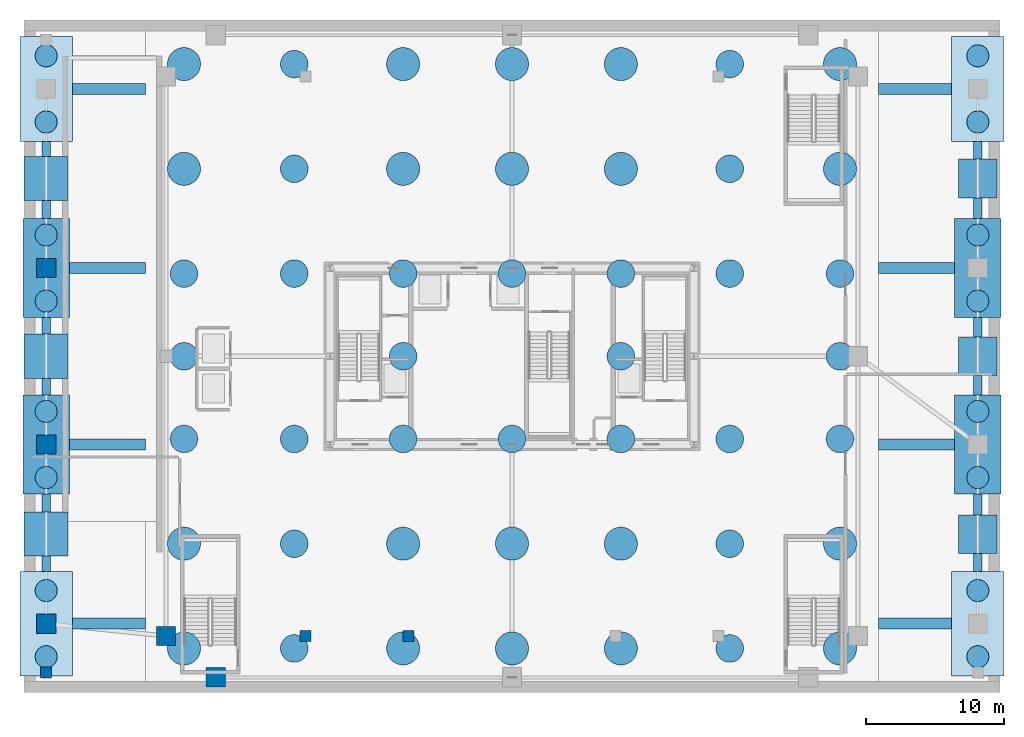
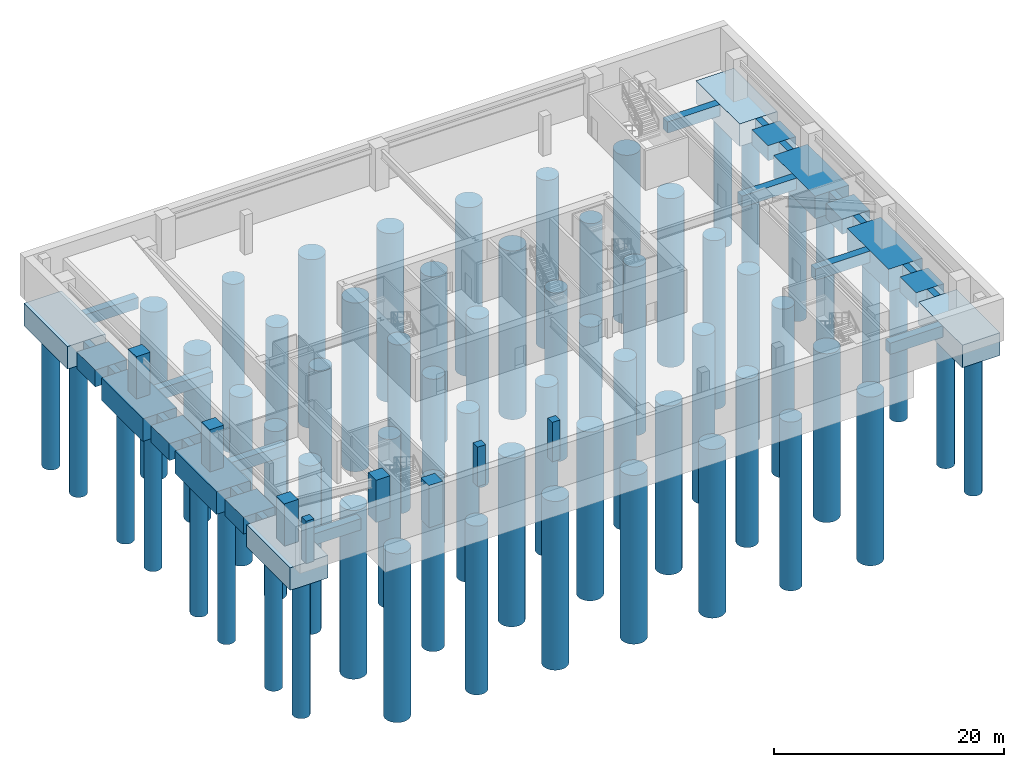
# One storey, part 1 of 10: 62 piles, 34 footings, 8 columns.
"""IFC4 building model written with IfcOpenShell, lengths in metres."""

from ifc_helpers import new_model, si_unit, direction, frame, origin, origin_2d, place, context, subcontext, project, spatial, polyline, rectangle, circle, outline, extrude, source, transform, mapped, material, material_profile, profile_set, type_object, element, save


model = new_model("IFC4")

# Units and contexts
model_context = context("Model", 3, precision=1e-05, world=origin(), true_north=direction((0.0, 1.0)))
body_context = subcontext(model_context, "Body", "Model", "MODEL_VIEW")
ifc_project = project(units=[si_unit("LENGTHUNIT", "METRE"), si_unit("AREAUNIT", "SQUARE_METRE"), si_unit("VOLUMEUNIT", "CUBIC_METRE"), si_unit("PLANEANGLEUNIT", "RADIAN"), si_unit("MASSUNIT", "GRAM", prefix="KILO"), si_unit("THERMODYNAMICTEMPERATUREUNIT", "KELVIN"), si_unit("POWERUNIT", "WATT")], contexts=[model_context])

# Site, building, storey
site_placement = place(None, origin())
site = spatial("IfcSite", under=ifc_project, at=site_placement, CompositionType="ELEMENT")
building_placement = place(site_placement, origin())
building = spatial("IfcBuilding", under=site, at=building_placement, Name="Yuzanri Waterfront Tower", CompositionType="ELEMENT")
storey_placement = place(building_placement, frame((0.0, 0.0, -9.0)))
storey = spatial("IfcBuildingStorey", under=building, at=storey_placement, Name="B02", CompositionType="ELEMENT", Elevation=-9.0)

# Footings
ifc_material_1 = material(Name="Concrete C50", Category="concrete")
footing_type_1 = type_object("IfcFootingType", Name="Concrete C50 Foundation Tie Beam 800x1200", PredefinedType="FOOTING_BEAM", material=ifc_material_1)
footing_1_placement = place(storey_placement, frame((0.0, 0.0, -1.199951171875)))
element("IfcFooting", 1, at=footing_1_placement, inside=storey, type_object=footing_type_1, Name="Foundation Tie Beam 01", PredefinedType="FOOTING_BEAM", context=body_context, shape_type="SweptSolid", body=[
    extrude(outline(polyline([(5.10009765625, 6.0), (10.39990234375, 6.0), (10.39990234375, 6.800048828125), (5.10009765625, 6.800048828125), (5.10009765625, 6.0)])), origin(), (0.0, 0.0, 1.0), 1.199951171875),
])
footing_2_placement = place(storey_placement, frame((0.0, 0.0, -1.199951171875)))
element("IfcFooting", 2, at=footing_2_placement, inside=storey, type_object=footing_type_1, Name="Foundation Tie Beam 02", PredefinedType="FOOTING_BEAM", context=body_context, shape_type="SweptSolid", body=[
    extrude(outline(polyline([(63.60009765625, 6.0), (68.89990234375, 6.0), (68.89990234375, 6.800048828125), (63.60009765625, 6.800048828125), (63.60009765625, 6.0)])), origin(), (0.0, 0.0, 1.0), 1.199951171875),
])
footing_3_placement = place(storey_placement, frame((0.0, 0.0, -1.199951171875)))
element("IfcFooting", 3, at=footing_3_placement, inside=storey, type_object=footing_type_1, Name="Foundation Tie Beam 03", PredefinedType="FOOTING_BEAM", context=body_context, shape_type="SweptSolid", body=[
    extrude(outline(polyline([(4.89990234375, 19.0), (10.39990234375, 19.0), (10.39990234375, 19.800048828125), (4.89990234375, 19.800048828125), (4.89990234375, 19.0)])), origin(), (0.0, 0.0, 1.0), 1.199951171875),
])
footing_4_placement = place(storey_placement, frame((0.0, 0.0, -1.199951171875)))
element("IfcFooting", 4, at=footing_4_placement, inside=storey, type_object=footing_type_1, Name="Foundation Tie Beam 04", PredefinedType="FOOTING_BEAM", context=body_context, shape_type="SweptSolid", body=[
    extrude(outline(polyline([(63.60009765625, 19.0), (69.10009765625, 19.0), (69.10009765625, 19.800048828125), (63.60009765625, 19.800048828125), (63.60009765625, 19.0)])), origin(), (0.0, 0.0, 1.0), 1.199951171875),
])
footing_5_placement = place(storey_placement, frame((0.0, 0.0, -1.199951171875)))
element("IfcFooting", 5, at=footing_5_placement, inside=storey, type_object=footing_type_1, Name="Foundation Tie Beam 05", PredefinedType="FOOTING_BEAM", context=body_context, shape_type="SweptSolid", body=[
    extrude(outline(polyline([(4.89990234375, 31.800048828125), (10.39990234375, 31.800048828125), (10.39990234375, 32.60009765625), (4.89990234375, 32.60009765625), (4.89990234375, 31.800048828125)])), origin(), (0.0, 0.0, 1.0), 1.199951171875),
])
footing_6_placement = place(storey_placement, frame((0.0, 0.0, -1.199951171875)))
element("IfcFooting", 6, at=footing_6_placement, inside=storey, type_object=footing_type_1, Name="Foundation Tie Beam 06", PredefinedType="FOOTING_BEAM", context=body_context, shape_type="SweptSolid", body=[
    extrude(outline(polyline([(63.60009765625, 31.800048828125), (69.10009765625, 31.800048828125), (69.10009765625, 32.60009765625), (63.60009765625, 32.60009765625), (63.60009765625, 31.800048828125)])), origin(), (0.0, 0.0, 1.0), 1.199951171875),
])
footing_7_placement = place(storey_placement, frame((0.0, 0.0, -1.199951171875)))
element("IfcFooting", 7, at=footing_7_placement, inside=storey, type_object=footing_type_1, Name="Foundation Tie Beam 07", PredefinedType="FOOTING_BEAM", context=body_context, shape_type="SweptSolid", body=[
    extrude(outline(polyline([(5.10009765625, 44.800048828125), (10.39990234375, 44.800048828125), (10.39990234375, 45.60009765625), (5.10009765625, 45.60009765625), (5.10009765625, 44.800048828125)])), origin(), (0.0, 0.0, 1.0), 1.199951171875),
])
footing_8_placement = place(storey_placement, frame((0.0, 0.0, -1.199951171875)))
element("IfcFooting", 8, at=footing_8_placement, inside=storey, type_object=footing_type_1, Name="Foundation Tie Beam 08", PredefinedType="FOOTING_BEAM", context=body_context, shape_type="SweptSolid", body=[
    extrude(outline(polyline([(63.60009765625, 44.800048828125), (68.89990234375, 44.800048828125), (68.89990234375, 45.60009765625), (63.60009765625, 45.60009765625), (63.60009765625, 44.800048828125)])), origin(), (0.0, 0.0, 1.0), 1.199951171875),
])
ifc_material_2 = material(Name="Concrete C50", Category="concrete")
footing_type_2 = type_object("IfcFootingType", Name="Concrete C50 Perimeter Ground Beam 600x1000", PredefinedType="FOOTING_BEAM", material=ifc_material_2)
footing_9_placement = place(storey_placement, frame((0.0, 0.0, -1.0)))
element("IfcFooting", 9, at=footing_9_placement, inside=storey, type_object=footing_type_2, Name="Perimeter Ground Beam 09", PredefinedType="FOOTING_BEAM", context=body_context, shape_type="SweptSolid", body=[
    extrude(outline(polyline([(2.89990234375, 10.199951171875), (3.5, 10.199951171875), (3.5, 11.300048828125), (2.89990234375, 11.300048828125), (2.89990234375, 10.199951171875)])), origin(), (0.0, 0.0, 1.0), 1.0),
])
footing_10_placement = place(storey_placement, frame((0.0, 0.0, -1.0)))
element("IfcFooting", 10, at=footing_10_placement, inside=storey, type_object=footing_type_2, Name="Perimeter Ground Beam 10", PredefinedType="FOOTING_BEAM", context=body_context, shape_type="SweptSolid", body=[
    extrude(outline(polyline([(2.89990234375, 14.5), (3.5, 14.5), (3.5, 15.800048828125), (2.89990234375, 15.800048828125), (2.89990234375, 14.5)])), origin(), (0.0, 0.0, 1.0), 1.0),
])
footing_11_placement = place(storey_placement, frame((0.0, 0.0, -1.0)))
element("IfcFooting", 11, at=footing_11_placement, inside=storey, type_object=footing_type_2, Name="Perimeter Ground Beam 11", PredefinedType="FOOTING_BEAM", context=body_context, shape_type="SweptSolid", body=[
    extrude(outline(polyline([(2.89990234375, 23.0), (3.5, 23.0), (3.5, 24.199951171875), (2.89990234375, 24.199951171875), (2.89990234375, 23.0)])), origin(), (0.0, 0.0, 1.0), 1.0),
])
footing_12_placement = place(storey_placement, frame((0.0, 0.0, -1.0)))
element("IfcFooting", 12, at=footing_12_placement, inside=storey, type_object=footing_type_2, Name="Perimeter Ground Beam 12", PredefinedType="FOOTING_BEAM", context=body_context, shape_type="SweptSolid", body=[
    extrude(outline(polyline([(2.89990234375, 27.39990234375), (3.5, 27.39990234375), (3.5, 28.60009765625), (2.89990234375, 28.60009765625), (2.89990234375, 27.39990234375)])), origin(), (0.0, 0.0, 1.0), 1.0),
])
footing_13_placement = place(storey_placement, frame((0.0, 0.0, -1.0)))
element("IfcFooting", 13, at=footing_13_placement, inside=storey, type_object=footing_type_2, Name="Perimeter Ground Beam 13", PredefinedType="FOOTING_BEAM", context=body_context, shape_type="SweptSolid", body=[
    extrude(outline(polyline([(2.89990234375, 35.800048828125), (3.5, 35.800048828125), (3.5, 37.10009765625), (2.89990234375, 37.10009765625), (2.89990234375, 35.800048828125)])), origin(), (0.0, 0.0, 1.0), 1.0),
])
footing_14_placement = place(storey_placement, frame((0.0, 0.0, -1.0)))
element("IfcFooting", 14, at=footing_14_placement, inside=storey, type_object=footing_type_2, Name="Perimeter Ground Beam 14", PredefinedType="FOOTING_BEAM", context=body_context, shape_type="SweptSolid", body=[
    extrude(outline(polyline([(2.89990234375, 40.300048828125), (3.5, 40.300048828125), (3.5, 41.39990234375), (2.89990234375, 41.39990234375), (2.89990234375, 40.300048828125)])), origin(), (0.0, 0.0, 1.0), 1.0),
])
footing_15_placement = place(storey_placement, frame((0.0, 0.0, -1.0)))
element("IfcFooting", 15, at=footing_15_placement, inside=storey, type_object=footing_type_2, Name="Perimeter Ground Beam 15", PredefinedType="FOOTING_BEAM", context=body_context, shape_type="SweptSolid", body=[
    extrude(outline(polyline([(70.5, 10.199951171875), (71.10009765625, 10.199951171875), (71.10009765625, 11.5), (70.5, 11.5), (70.5, 10.199951171875)])), origin(), (0.0, 0.0, 1.0), 1.0),
])
footing_16_placement = place(storey_placement, frame((0.0, 0.0, -1.0)))
element("IfcFooting", 16, at=footing_16_placement, inside=storey, type_object=footing_type_2, Name="Perimeter Ground Beam 16", PredefinedType="FOOTING_BEAM", context=body_context, shape_type="SweptSolid", body=[
    extrude(outline(polyline([(70.5, 14.300048828125), (71.10009765625, 14.300048828125), (71.10009765625, 15.800048828125), (70.5, 15.800048828125), (70.5, 14.300048828125)])), origin(), (0.0, 0.0, 1.0), 1.0),
])
footing_17_placement = place(storey_placement, frame((0.0, 0.0, -1.0)))
element("IfcFooting", 17, at=footing_17_placement, inside=storey, type_object=footing_type_2, Name="Perimeter Ground Beam 17", PredefinedType="FOOTING_BEAM", context=body_context, shape_type="SweptSolid", body=[
    extrude(outline(polyline([(70.5, 23.0), (71.10009765625, 23.0), (71.10009765625, 24.39990234375), (70.5, 24.39990234375), (70.5, 23.0)])), origin(), (0.0, 0.0, 1.0), 1.0),
])
footing_18_placement = place(storey_placement, frame((0.0, 0.0, -1.0)))
element("IfcFooting", 18, at=footing_18_placement, inside=storey, type_object=footing_type_2, Name="Perimeter Ground Beam 18", PredefinedType="FOOTING_BEAM", context=body_context, shape_type="SweptSolid", body=[
    extrude(outline(polyline([(70.5, 27.199951171875), (71.10009765625, 27.199951171875), (71.10009765625, 28.60009765625), (70.5, 28.60009765625), (70.5, 27.199951171875)])), origin(), (0.0, 0.0, 1.0), 1.0),
])
footing_19_placement = place(storey_placement, frame((0.0, 0.0, -1.0)))
element("IfcFooting", 19, at=footing_19_placement, inside=storey, type_object=footing_type_2, Name="Perimeter Ground Beam 19", PredefinedType="FOOTING_BEAM", context=body_context, shape_type="SweptSolid", body=[
    extrude(outline(polyline([(70.5, 35.800048828125), (71.10009765625, 35.800048828125), (71.10009765625, 37.300048828125), (70.5, 37.300048828125), (70.5, 35.800048828125)])), origin(), (0.0, 0.0, 1.0), 1.0),
])
footing_20_placement = place(storey_placement, frame((0.0, 0.0, -1.0)))
element("IfcFooting", 20, at=footing_20_placement, inside=storey, type_object=footing_type_2, Name="Perimeter Ground Beam 20", PredefinedType="FOOTING_BEAM", context=body_context, shape_type="SweptSolid", body=[
    extrude(outline(polyline([(70.5, 40.10009765625), (71.10009765625, 40.10009765625), (71.10009765625, 41.39990234375), (70.5, 41.39990234375), (70.5, 40.10009765625)])), origin(), (0.0, 0.0, 1.0), 1.0),
])
ifc_material_3 = material(Name="Concrete C50", Category="concrete")
footing_type_3 = type_object("IfcFootingType", Name="Concrete C50 Podium Corner Two-Pile Cap 3800x7600x2400", PredefinedType="PILE_CAP", material=ifc_material_3)
footing_21_placement = place(storey_placement, frame((0.0, 0.0, -2.39990234375)))
element("IfcFooting", 21, at=footing_21_placement, inside=storey, type_object=footing_type_3, Name="Podium Two-Pile Cap W01", PredefinedType="PILE_CAP", context=body_context, shape_type="SweptSolid", body=[
    extrude(outline(polyline([(1.300048828125, 2.60009765625), (5.10009765625, 2.60009765625), (5.10009765625, 10.199951171875), (1.300048828125, 10.199951171875), (1.300048828125, 2.60009765625)])), origin(), (0.0, 0.0, 1.0), 2.39990234375),
])
footing_22_placement = place(storey_placement, frame((0.0, 0.0, -2.39990234375)))
element("IfcFooting", 22, at=footing_22_placement, inside=storey, type_object=footing_type_3, Name="Podium Two-Pile Cap W04", PredefinedType="PILE_CAP", context=body_context, shape_type="SweptSolid", body=[
    extrude(outline(polyline([(1.300048828125, 41.39990234375), (5.10009765625, 41.39990234375), (5.10009765625, 49.0), (1.300048828125, 49.0), (1.300048828125, 41.39990234375)])), origin(), (0.0, 0.0, 1.0), 2.39990234375),
])
footing_23_placement = place(storey_placement, frame((0.0, 0.0, -2.39990234375)))
element("IfcFooting", 23, at=footing_23_placement, inside=storey, type_object=footing_type_3, Name="Podium Two-Pile Cap E05", PredefinedType="PILE_CAP", context=body_context, shape_type="SweptSolid", body=[
    extrude(outline(polyline([(68.89990234375, 2.60009765625), (72.699951171875, 2.60009765625), (72.699951171875, 10.199951171875), (68.89990234375, 10.199951171875), (68.89990234375, 2.60009765625)])), origin(), (0.0, 0.0, 1.0), 2.39990234375),
])
footing_24_placement = place(storey_placement, frame((0.0, 0.0, -2.39990234375)))
element("IfcFooting", 24, at=footing_24_placement, inside=storey, type_object=footing_type_3, Name="Podium Two-Pile Cap E08", PredefinedType="PILE_CAP", context=body_context, shape_type="SweptSolid", body=[
    extrude(outline(polyline([(68.89990234375, 41.39990234375), (72.699951171875, 41.39990234375), (72.699951171875, 49.0), (68.89990234375, 49.0), (68.89990234375, 41.39990234375)])), origin(), (0.0, 0.0, 1.0), 2.39990234375),
])
ifc_material_4 = material(Name="Concrete C50", Category="concrete")
footing_type_4 = type_object("IfcFootingType", Name="Concrete C50 Podium Two-Pile Cap 3400x7200x2400", PredefinedType="PILE_CAP", material=ifc_material_4)
footing_25_placement = place(storey_placement, frame((0.0, 0.0, -2.39990234375)))
element("IfcFooting", 25, at=footing_25_placement, inside=storey, type_object=footing_type_4, Name="Podium Two-Pile Cap W02", PredefinedType="PILE_CAP", context=body_context, shape_type="SweptSolid", body=[
    extrude(outline(polyline([(1.5, 15.800048828125), (4.89990234375, 15.800048828125), (4.89990234375, 23.0), (1.5, 23.0), (1.5, 15.800048828125)])), origin(), (0.0, 0.0, 1.0), 2.39990234375),
])
footing_26_placement = place(storey_placement, frame((0.0, 0.0, -2.39990234375)))
element("IfcFooting", 26, at=footing_26_placement, inside=storey, type_object=footing_type_4, Name="Podium Two-Pile Cap W03", PredefinedType="PILE_CAP", context=body_context, shape_type="SweptSolid", body=[
    extrude(outline(polyline([(1.5, 28.60009765625), (4.89990234375, 28.60009765625), (4.89990234375, 35.800048828125), (1.5, 35.800048828125), (1.5, 28.60009765625)])), origin(), (0.0, 0.0, 1.0), 2.39990234375),
])
footing_27_placement = place(storey_placement, frame((0.0, 0.0, -2.39990234375)))
element("IfcFooting", 27, at=footing_27_placement, inside=storey, type_object=footing_type_4, Name="Podium Two-Pile Cap E06", PredefinedType="PILE_CAP", context=body_context, shape_type="SweptSolid", body=[
    extrude(outline(polyline([(69.10009765625, 15.800048828125), (72.5, 15.800048828125), (72.5, 23.0), (69.10009765625, 23.0), (69.10009765625, 15.800048828125)])), origin(), (0.0, 0.0, 1.0), 2.39990234375),
])
footing_28_placement = place(storey_placement, frame((0.0, 0.0, -2.39990234375)))
element("IfcFooting", 28, at=footing_28_placement, inside=storey, type_object=footing_type_4, Name="Podium Two-Pile Cap E07", PredefinedType="PILE_CAP", context=body_context, shape_type="SweptSolid", body=[
    extrude(outline(polyline([(69.10009765625, 28.60009765625), (72.5, 28.60009765625), (72.5, 35.800048828125), (69.10009765625, 35.800048828125), (69.10009765625, 28.60009765625)])), origin(), (0.0, 0.0, 1.0), 2.39990234375),
])
ifc_material_5 = material(Name="Concrete C50", Category="concrete")
footing_type_5 = type_object("IfcFootingType", Name="Concrete C50 Rock-Bearing Pad Footing 2800x2800x1600", PredefinedType="PAD_FOOTING", material=ifc_material_5)
footing_29_placement = place(storey_placement, frame((0.0, 0.0, -1.60009765625)))
element("IfcFooting", 29, at=footing_29_placement, inside=storey, type_object=footing_type_5, Name="Podium Rock-Bearing Pad Footing E04", PredefinedType="PAD_FOOTING", context=body_context, shape_type="SweptSolid", body=[
    extrude(outline(polyline([(69.39990234375, 11.5), (72.199951171875, 11.5), (72.199951171875, 14.300048828125), (69.39990234375, 14.300048828125), (69.39990234375, 11.5)])), origin(), (0.0, 0.0, 1.0), 1.60009765625),
])
footing_30_placement = place(storey_placement, frame((0.0, 0.0, -1.60009765625)))
element("IfcFooting", 30, at=footing_30_placement, inside=storey, type_object=footing_type_5, Name="Podium Rock-Bearing Pad Footing E05", PredefinedType="PAD_FOOTING", context=body_context, shape_type="SweptSolid", body=[
    extrude(outline(polyline([(69.39990234375, 24.39990234375), (72.199951171875, 24.39990234375), (72.199951171875, 27.199951171875), (69.39990234375, 27.199951171875), (69.39990234375, 24.39990234375)])), origin(), (0.0, 0.0, 1.0), 1.60009765625),
])
footing_31_placement = place(storey_placement, frame((0.0, 0.0, -1.60009765625)))
element("IfcFooting", 31, at=footing_31_placement, inside=storey, type_object=footing_type_5, Name="Podium Rock-Bearing Pad Footing E06", PredefinedType="PAD_FOOTING", context=body_context, shape_type="SweptSolid", body=[
    extrude(outline(polyline([(69.39990234375, 37.300048828125), (72.199951171875, 37.300048828125), (72.199951171875, 40.10009765625), (69.39990234375, 40.10009765625), (69.39990234375, 37.300048828125)])), origin(), (0.0, 0.0, 1.0), 1.60009765625),
])
ifc_material_6 = material(Name="Concrete C50", Category="concrete")
footing_type_6 = type_object("IfcFootingType", Name="Concrete C50 Rock-Bearing Pad Footing 3200x3200x1800", PredefinedType="PAD_FOOTING", material=ifc_material_6)
footing_32_placement = place(storey_placement, frame((0.0, 0.0, -1.800048828125)))
element("IfcFooting", 32, at=footing_32_placement, inside=storey, type_object=footing_type_6, Name="Podium Rock-Bearing Pad Footing W01", PredefinedType="PAD_FOOTING", context=body_context, shape_type="SweptSolid", body=[
    extrude(outline(polyline([(1.60009765625, 11.300048828125), (4.800048828125, 11.300048828125), (4.800048828125, 14.5), (1.60009765625, 14.5), (1.60009765625, 11.300048828125)])), origin(), (0.0, 0.0, 1.0), 1.800048828125),
])
footing_33_placement = place(storey_placement, frame((0.0, 0.0, -1.800048828125)))
element("IfcFooting", 33, at=footing_33_placement, inside=storey, type_object=footing_type_6, Name="Podium Rock-Bearing Pad Footing W02", PredefinedType="PAD_FOOTING", context=body_context, shape_type="SweptSolid", body=[
    extrude(outline(polyline([(1.60009765625, 24.199951171875), (4.800048828125, 24.199951171875), (4.800048828125, 27.39990234375), (1.60009765625, 27.39990234375), (1.60009765625, 24.199951171875)])), origin(), (0.0, 0.0, 1.0), 1.800048828125),
])
footing_34_placement = place(storey_placement, frame((0.0, 0.0, -1.800048828125)))
element("IfcFooting", 34, at=footing_34_placement, inside=storey, type_object=footing_type_6, Name="Podium Rock-Bearing Pad Footing W03", PredefinedType="PAD_FOOTING", context=body_context, shape_type="SweptSolid", body=[
    extrude(outline(polyline([(1.60009765625, 37.10009765625), (4.800048828125, 37.10009765625), (4.800048828125, 40.300048828125), (1.60009765625, 40.300048828125), (1.60009765625, 37.10009765625)])), origin(), (0.0, 0.0, 1.0), 1.800048828125),
])

# Piles
ifc_material_7 = material(Name="Concrete C50", Category="concrete")
ifc_material_profile_1 = material_profile(ifc_material_7, circle(Radius=1.199951171875, at=origin_2d()), Name="PILE D2400")
ifc_profile_set_1 = profile_set([ifc_material_profile_1], Name="Concrete C50")
pile_type_1 = type_object("IfcPileType", Name="Concrete C50 Rock-Socketed Bored Pile 2400", PredefinedType="BORED", material=ifc_profile_set_1)
shared_shape_1 = source(origin(), body_context, "Body", "SweptSolid", [
    extrude(circle(Radius=1.199951171875, at=origin_2d()), origin(), (0.0, 0.0, 1.0), 17.949951171875),
])
for number, where, z_axis, x_axis, name in (
    (35, (13.199951171875, 4.60009765625, -3.050048828125), (0.0, 0.0, -1.0), (1.0, 0.0, 0.0), "Tower Raft Bored Pile 001"),
    (36, (13.199951171875, 12.199951171875, -3.050048828125), (0.0, 0.0, -1.0), (1.0, 0.0, 0.0), "Tower Raft Bored Pile 002"),
    (37, (13.199951171875, 39.39990234375, -3.050048828125), (0.0, 0.0, -1.0), (1.0, 0.0, 0.0), "Tower Raft Bored Pile 006"),
    (38, (13.199951171875, 47.0, -3.050048828125), (0.0, 0.0, -1.0), (1.0, 0.0, 0.0), "Tower Raft Bored Pile 007"),
    (39, (29.10009765625, 4.60009765625, -3.050048828125), (0.0, 0.0, -1.0), (1.0, 0.0, 0.0), "Tower Raft Bored Pile 014"),
    (40, (29.10009765625, 12.199951171875, -3.050048828125), (0.0, 0.0, -1.0), (1.0, 0.0, 0.0), "Tower Raft Bored Pile 015"),
    (41, (29.10009765625, 39.39990234375, -3.050048828125), (0.0, 0.0, -1.0), (1.0, 0.0, 0.0), "Tower Raft Bored Pile 019"),
    (42, (29.10009765625, 47.0, -3.050048828125), (0.0, 0.0, -1.0), (1.0, 0.0, 0.0), "Tower Raft Bored Pile 020"),
    (43, (37.0, 4.60009765625, -3.050048828125), (0.0, 0.0, -1.0), (1.0, 0.0, 0.0), "Tower Raft Bored Pile 021"),
    (44, (37.0, 12.199951171875, -3.050048828125), (0.0, 0.0, -1.0), (1.0, 0.0, 0.0), "Tower Raft Bored Pile 022"),
    (45, (37.0, 39.39990234375, -3.050048828125), (0.0, 0.0, -1.0), (1.0, 0.0, 0.0), "Tower Raft Bored Pile 025"),
    (46, (37.0, 47.0, -3.050048828125), (0.0, 0.0, -1.0), (1.0, 0.0, 0.0), "Tower Raft Bored Pile 026"),
    (47, (44.89990234375, 4.60009765625, -3.050048828125), (0.0, 0.0, -1.0), (1.0, 0.0, 0.0), "Tower Raft Bored Pile 027"),
    (48, (44.89990234375, 12.199951171875, -3.050048828125), (0.0, 0.0, -1.0), (1.0, 0.0, 0.0), "Tower Raft Bored Pile 028"),
    (49, (44.89990234375, 39.39990234375, -3.050048828125), (0.0, 0.0, -1.0), (1.0, 0.0, 0.0), "Tower Raft Bored Pile 032"),
    (50, (44.89990234375, 47.0, -3.050048828125), (0.0, 0.0, -1.0), (1.0, 0.0, 0.0), "Tower Raft Bored Pile 033"),
    (51, (60.800048828125, 4.60009765625, -3.050048828125), (0.0, 0.0, -1.0), (1.0, 0.0, 0.0), "Tower Raft Bored Pile 040"),
    (52, (60.800048828125, 12.199951171875, -3.050048828125), (0.0, 0.0, -1.0), (1.0, 0.0, 0.0), "Tower Raft Bored Pile 041"),
    (53, (60.800048828125, 39.39990234375, -3.050048828125), (0.0, 0.0, -1.0), (1.0, 0.0, 0.0), "Tower Raft Bored Pile 045"),
    (54, (60.800048828125, 47.0, -3.050048828125), (0.0, 0.0, -1.0), (1.0, 0.0, 0.0), "Tower Raft Bored Pile 046"),
):
    element("IfcPile", number, at=place(storey_placement, frame(where, z_axis=z_axis, x_axis=x_axis)), inside=storey, type_object=pile_type_1, Name=name, PredefinedType="BORED", context=body_context, shape_type="MappedRepresentation", body=[
        mapped(shared_shape_1, transform((0.0, 0.0, 0.0), scale=1.0)),
    ])
ifc_material_8 = material(Name="Concrete C50", Category="concrete")
ifc_material_profile_2 = material_profile(ifc_material_8, circle(Radius=1.0, at=origin_2d()), Name="PILE D2000")
ifc_profile_set_2 = profile_set([ifc_material_profile_2], Name="Concrete C50")
pile_type_2 = type_object("IfcPileType", Name="Concrete C50 Rock-Socketed Bored Pile 2000", PredefinedType="BORED", material=ifc_profile_set_2)
shared_shape_2 = source(origin(), body_context, "Body", "SweptSolid", [
    extrude(circle(Radius=1.0, at=origin_2d()), origin(), (0.0, 0.0, 1.0), 17.949951171875),
])
for number, where, z_axis, x_axis, name in (
    (55, (13.199951171875, 19.800048828125, -3.050048828125), (0.0, 0.0, -1.0), (1.0, 0.0, 0.0), "Tower Raft Bored Pile 003"),
    (56, (13.199951171875, 25.800048828125, -3.050048828125), (0.0, 0.0, -1.0), (1.0, 0.0, 0.0), "Tower Raft Bored Pile 004"),
    (57, (13.199951171875, 31.800048828125, -3.050048828125), (0.0, 0.0, -1.0), (1.0, 0.0, 0.0), "Tower Raft Bored Pile 005"),
    (58, (21.199951171875, 4.60009765625, -3.050048828125), (0.0, 0.0, -1.0), (1.0, 0.0, 0.0), "Tower Raft Bored Pile 008"),
    (59, (21.199951171875, 12.199951171875, -3.050048828125), (0.0, 0.0, -1.0), (1.0, 0.0, 0.0), "Tower Raft Bored Pile 009"),
    (60, (21.199951171875, 19.800048828125, -3.050048828125), (0.0, 0.0, -1.0), (1.0, 0.0, 0.0), "Tower Raft Bored Pile 010"),
    (61, (21.199951171875, 31.800048828125, -3.050048828125), (0.0, 0.0, -1.0), (1.0, 0.0, 0.0), "Tower Raft Bored Pile 011"),
    (62, (21.199951171875, 39.39990234375, -3.050048828125), (0.0, 0.0, -1.0), (1.0, 0.0, 0.0), "Tower Raft Bored Pile 012"),
    (63, (21.199951171875, 47.0, -3.050048828125), (0.0, 0.0, -1.0), (1.0, 0.0, 0.0), "Tower Raft Bored Pile 013"),
    (64, (29.10009765625, 19.800048828125, -3.050048828125), (0.0, 0.0, -1.0), (1.0, 0.0, 0.0), "Tower Raft Bored Pile 016"),
    (65, (29.10009765625, 25.800048828125, -3.050048828125), (0.0, 0.0, -1.0), (1.0, 0.0, 0.0), "Tower Raft Bored Pile 017"),
    (66, (29.10009765625, 31.800048828125, -3.050048828125), (0.0, 0.0, -1.0), (1.0, 0.0, 0.0), "Tower Raft Bored Pile 018"),
    (67, (37.0, 19.800048828125, -3.050048828125), (0.0, 0.0, -1.0), (1.0, 0.0, 0.0), "Tower Raft Bored Pile 023"),
    (68, (37.0, 31.800048828125, -3.050048828125), (0.0, 0.0, -1.0), (1.0, 0.0, 0.0), "Tower Raft Bored Pile 024"),
    (69, (44.89990234375, 19.800048828125, -3.050048828125), (0.0, 0.0, -1.0), (1.0, 0.0, 0.0), "Tower Raft Bored Pile 029"),
    (70, (44.89990234375, 25.800048828125, -3.050048828125), (0.0, 0.0, -1.0), (1.0, 0.0, 0.0), "Tower Raft Bored Pile 030"),
    (71, (44.89990234375, 31.800048828125, -3.050048828125), (0.0, 0.0, -1.0), (1.0, 0.0, 0.0), "Tower Raft Bored Pile 031"),
    (72, (52.800048828125, 4.60009765625, -3.050048828125), (0.0, 0.0, -1.0), (1.0, 0.0, 0.0), "Tower Raft Bored Pile 034"),
    (73, (52.800048828125, 12.199951171875, -3.050048828125), (0.0, 0.0, -1.0), (1.0, 0.0, 0.0), "Tower Raft Bored Pile 035"),
    (74, (52.800048828125, 19.800048828125, -3.050048828125), (0.0, 0.0, -1.0), (1.0, 0.0, 0.0), "Tower Raft Bored Pile 036"),
    (75, (52.800048828125, 31.800048828125, -3.050048828125), (0.0, 0.0, -1.0), (1.0, 0.0, 0.0), "Tower Raft Bored Pile 037"),
    (76, (52.800048828125, 39.39990234375, -3.050048828125), (0.0, 0.0, -1.0), (1.0, 0.0, 0.0), "Tower Raft Bored Pile 038"),
    (77, (52.800048828125, 47.0, -3.050048828125), (0.0, 0.0, -1.0), (1.0, 0.0, 0.0), "Tower Raft Bored Pile 039"),
    (78, (60.800048828125, 19.800048828125, -3.050048828125), (0.0, 0.0, -1.0), (1.0, 0.0, 0.0), "Tower Raft Bored Pile 042"),
    (79, (60.800048828125, 25.800048828125, -3.050048828125), (0.0, 0.0, -1.0), (1.0, 0.0, 0.0), "Tower Raft Bored Pile 043"),
    (80, (60.800048828125, 31.800048828125, -3.050048828125), (0.0, 0.0, -1.0), (1.0, 0.0, 0.0), "Tower Raft Bored Pile 044"),
):
    element("IfcPile", number, at=place(storey_placement, frame(where, z_axis=z_axis, x_axis=x_axis)), inside=storey, type_object=pile_type_2, Name=name, PredefinedType="BORED", context=body_context, shape_type="MappedRepresentation", body=[
        mapped(shared_shape_2, transform((0.0, 0.0, 0.0), scale=1.0)),
    ])
ifc_material_9 = material(Name="Concrete C50", Category="concrete")
ifc_material_profile_3 = material_profile(ifc_material_9, circle(Radius=0.800048828125, at=origin_2d()), Name="PILE D1600")
ifc_profile_set_3 = profile_set([ifc_material_profile_3], Name="Concrete C50")
pile_type_3 = type_object("IfcPileType", Name="Concrete C50 Rock-Socketed Bored Pile 1600", PredefinedType="BORED", material=ifc_profile_set_3)
shared_shape_3 = source(origin(), body_context, "Body", "SweptSolid", [
    extrude(circle(Radius=0.800048828125, at=origin_2d()), origin(), (0.0, 0.0, 1.0), 14.75),
])
for number, where, z_axis, x_axis, name in (
    (81, (3.199951171875, 4.0, -2.25), (0.0, 0.0, -1.0), (1.0, 0.0, 0.0), "Podium Cap Bored Pile W01-1"),
    (82, (3.199951171875, 8.800048828125, -2.25), (0.0, 0.0, -1.0), (1.0, 0.0, 0.0), "Podium Cap Bored Pile W01-2"),
    (83, (3.199951171875, 17.0, -2.25), (0.0, 0.0, -1.0), (1.0, 0.0, 0.0), "Podium Cap Bored Pile W02-1"),
    (84, (3.199951171875, 21.800048828125, -2.25), (0.0, 0.0, -1.0), (1.0, 0.0, 0.0), "Podium Cap Bored Pile W02-2"),
    (85, (3.199951171875, 29.800048828125, -2.25), (0.0, 0.0, -1.0), (1.0, 0.0, 0.0), "Podium Cap Bored Pile W03-1"),
    (86, (3.199951171875, 34.60009765625, -2.25), (0.0, 0.0, -1.0), (1.0, 0.0, 0.0), "Podium Cap Bored Pile W03-2"),
    (87, (3.199951171875, 42.800048828125, -2.25), (0.0, 0.0, -1.0), (1.0, 0.0, 0.0), "Podium Cap Bored Pile W04-1"),
    (88, (3.199951171875, 47.60009765625, -2.25), (0.0, 0.0, -1.0), (1.0, 0.0, 0.0), "Podium Cap Bored Pile W04-2"),
    (89, (70.800048828125, 4.0, -2.25), (0.0, 0.0, -1.0), (1.0, 0.0, 0.0), "Podium Cap Bored Pile E05-1"),
    (90, (70.800048828125, 8.800048828125, -2.25), (0.0, 0.0, -1.0), (1.0, 0.0, 0.0), "Podium Cap Bored Pile E05-2"),
    (91, (70.800048828125, 17.0, -2.25), (0.0, 0.0, -1.0), (1.0, 0.0, 0.0), "Podium Cap Bored Pile E06-1"),
    (92, (70.800048828125, 21.800048828125, -2.25), (0.0, 0.0, -1.0), (1.0, 0.0, 0.0), "Podium Cap Bored Pile E06-2"),
    (93, (70.800048828125, 29.800048828125, -2.25), (0.0, 0.0, -1.0), (1.0, 0.0, 0.0), "Podium Cap Bored Pile E07-1"),
    (94, (70.800048828125, 34.60009765625, -2.25), (0.0, 0.0, -1.0), (1.0, 0.0, 0.0), "Podium Cap Bored Pile E07-2"),
    (95, (70.800048828125, 42.800048828125, -2.25), (0.0, 0.0, -1.0), (1.0, 0.0, 0.0), "Podium Cap Bored Pile E08-1"),
    (96, (70.800048828125, 47.60009765625, -2.25), (0.0, 0.0, -1.0), (1.0, 0.0, 0.0), "Podium Cap Bored Pile E08-2"),
):
    element("IfcPile", number, at=place(storey_placement, frame(where, z_axis=z_axis, x_axis=x_axis)), inside=storey, type_object=pile_type_3, Name=name, PredefinedType="BORED", context=body_context, shape_type="MappedRepresentation", body=[
        mapped(shared_shape_3, transform((0.0, 0.0, 0.0), scale=1.0)),
    ])

# Columns
ifc_material_10 = material(Name="Concrete C50", Category="concrete")
ifc_material_profile_4 = material_profile(ifc_material_10, rectangle(XDim=0.800048828125, YDim=0.800048828125, at=origin_2d()), Name="RC 800x800")
ifc_profile_set_4 = profile_set([ifc_material_profile_4], Name="Concrete C50")
column_type_1 = type_object("IfcColumnType", Name="Upper Podium RC Column C50 800x800", PredefinedType="COLUMN", material=ifc_profile_set_4)
shared_shape_4 = source(origin(), body_context, "Body", "SweptSolid", [
    extrude(rectangle(XDim=0.800048828125, YDim=0.800048828125, at=origin_2d()), origin(), (0.0, 0.0, 1.0), 4.199951171875),
])
for number, where, z_axis, x_axis, name in (
    (97, (22.0, 5.5, 0.0), (0.0, 0.0, 1.0), (1.0, 0.0, 0.0), "B02 Basement Sub-Grid Column 1"),
    (98, (29.5, 5.5, 0.0), (0.0, 0.0, 1.0), (1.0, 0.0, 0.0), "B02 Basement Sub-Grid Column 2"),
):
    element("IfcColumn", number, at=place(storey_placement, frame(where, z_axis=z_axis, x_axis=x_axis)), inside=storey, type_object=column_type_1, Name=name, PredefinedType="COLUMN", context=body_context, shape_type="MappedRepresentation", body=[
        mapped(shared_shape_4, transform((0.0, 0.0, 0.0), scale=1.0)),
    ])
shared_shape_5 = source(origin(), body_context, "Body", "SweptSolid", [
    extrude(rectangle(XDim=0.800048828125, YDim=0.800048828125, at=origin_2d()), origin(), (0.0, 0.0, 1.0), 4.5),
])
column_placement = place(storey_placement, frame((3.199951171875, 2.85009765625, 0.0), z_axis=(0.0, 0.0, 1.0), x_axis=(1.0, 0.0, 0.0)))
element("IfcColumn", 99, at=column_placement, inside=storey, type_object=column_type_1, Name="B02 Podium Corner Column CNPSW", PredefinedType="COLUMN", context=body_context, shape_type="MappedRepresentation", body=[
    mapped(shared_shape_5, transform((0.0, 0.0, 0.0), scale=1.0)),
])
ifc_material_11 = material(Name="Concrete C60", Category="concrete")
ifc_material_profile_5 = material_profile(ifc_material_11, rectangle(XDim=1.39990234375, YDim=1.39990234375, at=origin_2d()), Name="RC 1400x1400")
ifc_profile_set_5 = profile_set([ifc_material_profile_5], Name="Concrete C60")
column_type_2 = type_object("IfcColumnType", Name="Podium RC Column C60 1400x1400", PredefinedType="COLUMN", material=ifc_profile_set_5)
shared_shape_6 = source(origin(), body_context, "Body", "SweptSolid", [
    extrude(rectangle(XDim=1.39990234375, YDim=1.39990234375, at=origin_2d()), origin(), (0.0, 0.0, 1.0), 4.5),
])
for number, where, z_axis, x_axis, name in (
    (100, (3.199951171875, 6.39990234375, 0.0), (0.0, 0.0, 1.0), (1.0, 0.0, 0.0), "B02 Podium Column PW1"),
    (101, (3.199951171875, 19.39990234375, 0.0), (0.0, 0.0, 1.0), (1.0, 0.0, 0.0), "B02 Podium Column PW2"),
    (102, (3.199951171875, 32.199951171875, 0.0), (0.0, 0.0, 1.0), (1.0, 0.0, 0.0), "B02 Podium Column PW3"),
    (103, (11.89990234375, 5.5, 0.0), (0.0, 0.0, 1.0), (1.0, 0.0, 0.0), "B02 Podium Column PTW1"),
    (104, (15.5, 2.5, 0.0), (0.0, 0.0, 1.0), (1.0, 0.0, 0.0), "B02 Podium Column PTS1"),
):
    element("IfcColumn", number, at=place(storey_placement, frame(where, z_axis=z_axis, x_axis=x_axis)), inside=storey, type_object=column_type_2, Name=name, PredefinedType="COLUMN", context=body_context, shape_type="MappedRepresentation", body=[
        mapped(shared_shape_6, transform((0.0, 0.0, 0.0), scale=1.0)),
    ])

save(model, "model.ifc")
